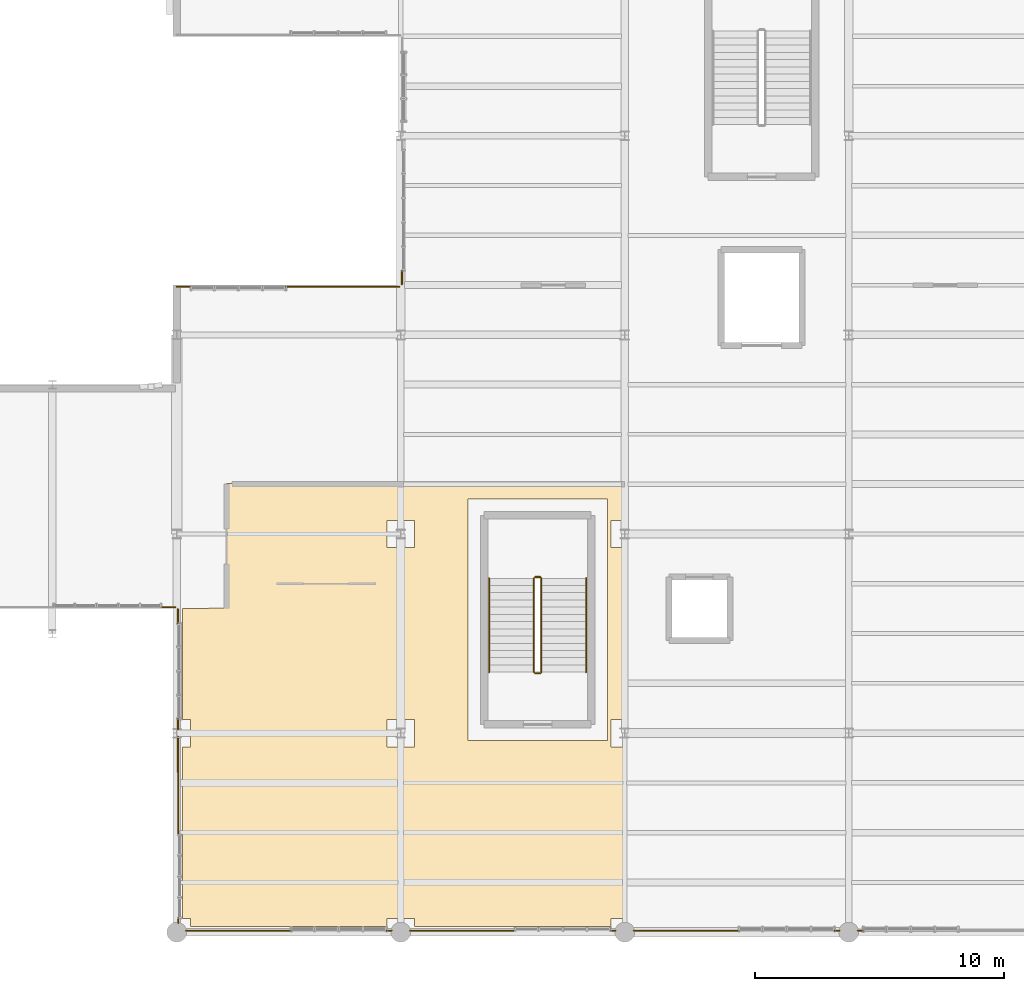
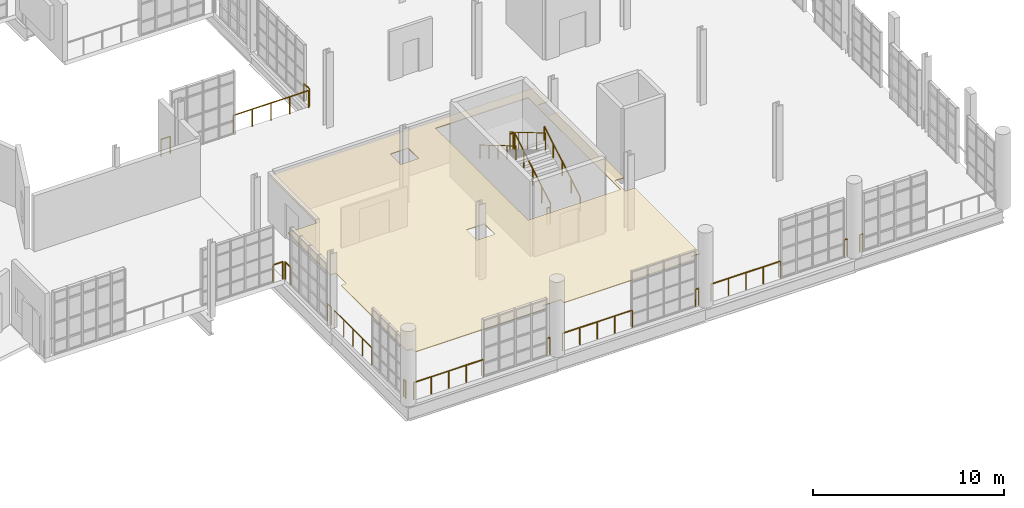
# One storey, part 115 of 122: 21 railings, 1 covering.
"""IFC4 building model written with IfcOpenShell, lengths in metres."""

from ifc_helpers import new_model, si_unit, direction, frame, origin, origin_2d, place, context, subcontext, project, spatial, polyline, circle, outline, extrude, material, layer, layer_set, type_object, element, save


model = new_model("IFC4")

# Units and contexts
model_context = context("Model", 3, precision=1e-05, world=origin(), true_north=direction((0.0, 1.0)))
body_context = subcontext(model_context, "Body", "Model", "MODEL_VIEW")
ifc_project = project(units=[si_unit("LENGTHUNIT", "METRE"), si_unit("AREAUNIT", "SQUARE_METRE"), si_unit("VOLUMEUNIT", "CUBIC_METRE"), si_unit("PLANEANGLEUNIT", "RADIAN"), si_unit("MASSUNIT", "GRAM", prefix="KILO"), si_unit("THERMODYNAMICTEMPERATUREUNIT", "KELVIN"), si_unit("POWERUNIT", "WATT")], contexts=[model_context])

# Site, building, storey
site_placement = place(None, origin())
site = spatial("IfcSite", under=ifc_project, at=site_placement, CompositionType="ELEMENT")
building_placement = place(site_placement, origin())
building = spatial("IfcBuilding", under=site, at=building_placement, Name="Zelmaris Science Centre", CompositionType="ELEMENT")
storey_placement = place(building_placement, frame((0.0, 0.0, 10.800048828125)))
storey = spatial("IfcBuildingStorey", under=building, at=storey_placement, Name="L02", CompositionType="ELEMENT", Elevation=10.800048828125)

# Covering
ifc_material_1 = material(Name="Perforated mineral-fibre acoustic ceiling tile")
ifc_layer = layer(ifc_material_1, 0.050048828125, Name="Perforated mineral-fibre acoustic ceiling tile")
ifc_layer_set = layer_set([ifc_layer], Name="Perforated mineral-fibre acoustic ceiling tile")
covering_type = type_object("IfcCoveringType", Name="Acoustic Ceiling CLG-02 50mm", PredefinedType="CEILING", material=ifc_layer_set)
covering_placement = place(storey_placement, frame((0.0, 0.0, 2.849853515625)))
element("IfcCovering", 1, at=covering_placement, inside=storey, type_object=covering_type, Name="L02 Electronics and Sensor Dry Laboratory acoustic ceiling", PredefinedType="CEILING", context=body_context, shape_type="SweptSolid", body=[
    extrude(outline(polyline([(126.001953125, 26.02001953125), (126.00390625, 26.01953125), (126.005859375, 26.01904296875), (126.0078125, 26.0185546875), (126.009521484375, 26.017578125), (126.010986328125, 26.0166015625), (126.0126953125, 26.015380859375), (126.01416015625, 26.01416015625), (126.015380859375, 26.0126953125), (126.0166015625, 26.010986328125), (126.017578125, 26.009521484375), (126.0185546875, 26.0078125), (126.01904296875, 26.005859375), (126.01953125, 26.00390625), (126.02001953125, 26.001953125), (126.02001953125, 26.0), (126.02001953125, 24.550048828125), (125.449951171875, 24.550048828125), (125.449951171875, 23.449951171875), (126.02001953125, 23.449951171875), (126.02001953125, 16.550048828125), (125.449951171875, 16.550048828125), (125.449951171875, 15.449951171875), (126.02001953125, 15.449951171875), (126.02001953125, 8.550048828125), (125.449951171875, 8.550048828125), (125.449951171875, 8.22998046875), (117.550048828125, 8.22998046875), (117.550048828125, 8.550048828125), (116.449951171875, 8.550048828125), (116.449951171875, 8.22998046875), (108.550048828125, 8.22998046875), (108.550048828125, 8.550048828125), (108.22998046875, 8.550048828125), (108.22998046875, 15.449951171875), (108.550048828125, 15.449951171875), (108.550048828125, 16.550048828125), (108.22998046875, 16.550048828125), (108.22998046875, 20.9951171875), (108.22998046875, 20.9970703125), (108.23046875, 20.998779296875), (108.23095703125, 21.000732421875), (108.2314453125, 21.002685546875), (108.232421875, 21.00439453125), (108.2333984375, 21.006103515625), (108.234619140625, 21.0078125), (108.23583984375, 21.009033203125), (108.2373046875, 21.010498046875), (108.239013671875, 21.01171875), (108.240478515625, 21.0126953125), (108.2421875, 21.013427734375), (108.244140625, 21.01416015625), (108.24609375, 21.0146484375), (108.248046875, 21.014892578125), (108.25, 21.014892578125), (109.98486328125, 21.0185546875), (109.985107421875, 26.0), (109.985107421875, 26.001953125), (109.9853515625, 26.00390625), (109.98583984375, 26.005859375), (109.986572265625, 26.0078125), (109.9873046875, 26.009521484375), (109.98828125, 26.010986328125), (109.989501953125, 26.0126953125), (109.990966796875, 26.01416015625), (109.9921875, 26.015380859375), (109.993896484375, 26.0166015625), (109.99560546875, 26.017578125), (109.997314453125, 26.0185546875), (109.999267578125, 26.01904296875), (110.001220703125, 26.01953125), (110.0029296875, 26.02001953125), (110.0048828125, 26.02001953125), (126.0, 26.02001953125), (126.001953125, 26.02001953125)]), holes=[polyline([(119.699951171875, 15.699951171875), (125.300048828125, 15.699951171875), (125.300048828125, 25.39990234375), (119.699951171875, 25.39990234375), (119.699951171875, 15.699951171875)]), polyline([(116.449951171875, 15.449951171875), (117.550048828125, 15.449951171875), (117.550048828125, 16.550048828125), (116.449951171875, 16.550048828125), (116.449951171875, 15.449951171875)]), polyline([(117.550048828125, 23.449951171875), (117.550048828125, 24.550048828125), (116.449951171875, 24.550048828125), (116.449951171875, 23.449951171875), (117.550048828125, 23.449951171875)])]), origin(), (0.0, 0.0, 1.0), 0.050048828125),
])

# Railings
ifc_material_2 = material(Name="Architectural bronze alloy C28000")
railing_type_1 = type_object("IfcRailingType", Name="Balustrade GD-01 H1120", PredefinedType="BALUSTRADE", material=ifc_material_2)
for number, where, name in (
    (2, (135.570068359375, 8.06005859375, 0.0), "L02 Perimeter safety balustrade 146"),
    (3, (134.6298828125, 8.06005859375, 0.0), "L02 Perimeter safety balustrade 147"),
):
    element("IfcRailing", number, at=place(storey_placement, frame(where)), inside=storey, type_object=railing_type_1, Name=name, PredefinedType="BALUSTRADE", context=body_context, shape_type="SweptSolid", body=[
        extrude(circle(Radius=0.02392578125, at=origin_2d()), frame((0.0, 0.0, 1.09619140625), z_axis=(-1.0, 0.0, 0.0), x_axis=(0.0, -1.0, 0.0)), (0.0, 0.0, 1.0), 0.199951171875),
        extrude(circle(Radius=0.02099609375, at=origin_2d()), origin(), (0.0, 0.0, 1.0), 1.072021484375),
        extrude(circle(Radius=0.02099609375, at=origin_2d()), frame((-0.199951171875, 0.0, 0.0)), (0.0, 0.0, 1.0), 1.072021484375),
    ])
railing_1_placement = place(storey_placement, frame((130.590087890625, 8.06005859375, 0.0)))
element("IfcRailing", 4, at=railing_1_placement, inside=storey, type_object=railing_type_1, Name="L02 Perimeter safety balustrade 148", PredefinedType="BALUSTRADE", context=body_context, shape_type="SweptSolid", body=[
    extrude(circle(Radius=0.02392578125, at=origin_2d()), frame((0.0, 0.0, 1.09619140625), z_axis=(-1.0, 0.0, 0.0), x_axis=(0.0, -1.0, 0.0)), (0.0, 0.0, 1.0), 4.219970703125),
    extrude(circle(Radius=0.02099609375, at=origin_2d()), origin(), (0.0, 0.0, 1.0), 1.072021484375),
    extrude(circle(Radius=0.02099609375, at=origin_2d()), frame((-1.054931640625, 0.0, 0.0)), (0.0, 0.0, 1.0), 1.072021484375),
    extrude(circle(Radius=0.02099609375, at=origin_2d()), frame((-2.10986328125, 0.0, 0.0)), (0.0, 0.0, 1.0), 1.072021484375),
    extrude(circle(Radius=0.02099609375, at=origin_2d()), frame((-3.1650390625, 0.0, 0.0)), (0.0, 0.0, 1.0), 1.072021484375),
    extrude(circle(Radius=0.02099609375, at=origin_2d()), frame((-4.219970703125, 0.0, 0.0)), (0.0, 0.0, 1.0), 1.072021484375),
])
railing_2_placement = place(storey_placement, frame((125.6298828125, 8.06005859375, 0.0)))
element("IfcRailing", 5, at=railing_2_placement, inside=storey, type_object=railing_type_1, Name="L02 Perimeter safety balustrade 149", PredefinedType="BALUSTRADE", context=body_context, shape_type="SweptSolid", body=[
    extrude(circle(Radius=0.02392578125, at=origin_2d()), frame((0.0, 0.0, 1.09619140625), z_axis=(-1.0, 0.0, 0.0), x_axis=(0.0, -1.0, 0.0)), (0.0, 0.0, 1.0), 0.199951171875),
    extrude(circle(Radius=0.02099609375, at=origin_2d()), origin(), (0.0, 0.0, 1.0), 1.072021484375),
    extrude(circle(Radius=0.02099609375, at=origin_2d()), frame((-0.199951171875, 0.0, 0.0)), (0.0, 0.0, 1.0), 1.072021484375),
])
railing_3_placement = place(storey_placement, frame((121.590087890625, 8.06005859375, 0.0)))
element("IfcRailing", 6, at=railing_3_placement, inside=storey, type_object=railing_type_1, Name="L02 Perimeter safety balustrade 150", PredefinedType="BALUSTRADE", context=body_context, shape_type="SweptSolid", body=[
    extrude(circle(Radius=0.02392578125, at=origin_2d()), frame((0.0, 0.0, 1.09619140625), z_axis=(-1.0, 0.0, 0.0), x_axis=(0.0, -1.0, 0.0)), (0.0, 0.0, 1.0), 4.219970703125),
    extrude(circle(Radius=0.02099609375, at=origin_2d()), origin(), (0.0, 0.0, 1.0), 1.072021484375),
    extrude(circle(Radius=0.02099609375, at=origin_2d()), frame((-1.054931640625, 0.0, 0.0)), (0.0, 0.0, 1.0), 1.072021484375),
    extrude(circle(Radius=0.02099609375, at=origin_2d()), frame((-2.10986328125, 0.0, 0.0)), (0.0, 0.0, 1.0), 1.072021484375),
    extrude(circle(Radius=0.02099609375, at=origin_2d()), frame((-3.1650390625, 0.0, 0.0)), (0.0, 0.0, 1.0), 1.072021484375),
    extrude(circle(Radius=0.02099609375, at=origin_2d()), frame((-4.219970703125, 0.0, 0.0)), (0.0, 0.0, 1.0), 1.072021484375),
])
railing_4_placement = place(storey_placement, frame((116.6298828125, 8.06005859375, 0.0)))
element("IfcRailing", 7, at=railing_4_placement, inside=storey, type_object=railing_type_1, Name="L02 Perimeter safety balustrade 151", PredefinedType="BALUSTRADE", context=body_context, shape_type="SweptSolid", body=[
    extrude(circle(Radius=0.02392578125, at=origin_2d()), frame((0.0, 0.0, 1.09619140625), z_axis=(-1.0, 0.0, 0.0), x_axis=(0.0, -1.0, 0.0)), (0.0, 0.0, 1.0), 0.199951171875),
    extrude(circle(Radius=0.02099609375, at=origin_2d()), origin(), (0.0, 0.0, 1.0), 1.072021484375),
    extrude(circle(Radius=0.02099609375, at=origin_2d()), frame((-0.199951171875, 0.0, 0.0)), (0.0, 0.0, 1.0), 1.072021484375),
])
railing_5_placement = place(storey_placement, frame((112.590087890625, 8.06005859375, 0.0)))
element("IfcRailing", 8, at=railing_5_placement, inside=storey, type_object=railing_type_1, Name="L02 Perimeter safety balustrade 152", PredefinedType="BALUSTRADE", context=body_context, shape_type="SweptSolid", body=[
    extrude(circle(Radius=0.02392578125, at=origin_2d()), frame((0.0, 0.0, 1.09619140625), z_axis=(-1.0, 0.0, 0.0), x_axis=(0.0, -1.0, 0.0)), (0.0, 0.0, 1.0), 4.219970703125),
    extrude(circle(Radius=0.02099609375, at=origin_2d()), origin(), (0.0, 0.0, 1.0), 1.072021484375),
    extrude(circle(Radius=0.02099609375, at=origin_2d()), frame((-1.054931640625, 0.0, 0.0)), (0.0, 0.0, 1.0), 1.072021484375),
    extrude(circle(Radius=0.02099609375, at=origin_2d()), frame((-2.10986328125, 0.0, 0.0)), (0.0, 0.0, 1.0), 1.072021484375),
    extrude(circle(Radius=0.02099609375, at=origin_2d()), frame((-3.1650390625, 0.0, 0.0)), (0.0, 0.0, 1.0), 1.072021484375),
    extrude(circle(Radius=0.02099609375, at=origin_2d()), frame((-4.219970703125, 0.0, 0.0)), (0.0, 0.0, 1.0), 1.072021484375),
])
railing_6_placement = place(storey_placement, frame((108.059814453125, 8.3701171875, 0.0)))
element("IfcRailing", 9, at=railing_6_placement, inside=storey, type_object=railing_type_1, Name="L02 Perimeter safety balustrade 153", PredefinedType="BALUSTRADE", context=body_context, shape_type="SweptSolid", body=[
    extrude(circle(Radius=0.02392578125, at=origin_2d()), frame((0.0, 0.0, 1.09619140625), z_axis=(-0.001221000311, 0.999999254579, 0.0), x_axis=(-0.999999254579, -0.001221000311, 0.0)), (0.0, 0.0, 1.0), 0.199951171875),
    extrude(circle(Radius=0.02099609375, at=origin_2d()), origin(), (0.0, 0.0, 1.0), 1.072021484375),
    extrude(circle(Radius=0.02099609375, at=origin_2d()), frame((-0.000244140625, 0.199951171875, 0.0)), (0.0, 0.0, 1.0), 1.072021484375),
])
railing_7_placement = place(storey_placement, frame((108.055908203125, 11.909912109375, 0.0)))
element("IfcRailing", 10, at=railing_7_placement, inside=storey, type_object=railing_type_1, Name="L02 Perimeter safety balustrade 154", PredefinedType="BALUSTRADE", context=body_context, shape_type="SweptSolid", body=[
    extrude(circle(Radius=0.02392578125, at=origin_2d()), frame((0.0, 0.0, 1.09619140625), z_axis=(-0.001054393757, 0.999999444127, 0.0), x_axis=(-0.999999444127, -0.001054393757, 0.0)), (0.0, 0.0, 1.0), 3.936279296875),
    extrude(circle(Radius=0.02099609375, at=origin_2d()), origin(), (0.0, 0.0, 1.0), 1.072021484375),
    extrude(circle(Radius=0.02099609375, at=origin_2d()), frame((-0.0009765625, 0.984130859375, 0.0)), (0.0, 0.0, 1.0), 1.072021484375),
    extrude(circle(Radius=0.02099609375, at=origin_2d()), frame((-0.001953125, 1.96826171875, 0.0)), (0.0, 0.0, 1.0), 1.072021484375),
    extrude(circle(Radius=0.02099609375, at=origin_2d()), frame((-0.003173828125, 2.9521484375, 0.0)), (0.0, 0.0, 1.0), 1.072021484375),
    extrude(circle(Radius=0.02099609375, at=origin_2d()), frame((-0.004150390625, 3.936279296875, 0.0)), (0.0, 0.0, 1.0), 1.072021484375),
])
railing_8_placement = place(storey_placement, frame((108.051513671875, 16.154052734375, 0.0)))
element("IfcRailing", 11, at=railing_8_placement, inside=storey, type_object=railing_type_1, Name="L02 Perimeter safety balustrade 155", PredefinedType="BALUSTRADE", context=body_context, shape_type="SweptSolid", body=[
    extrude(circle(Radius=0.02392578125, at=origin_2d()), frame((0.0, 0.0, 1.09619140625), z_axis=(-0.001173708112, 0.999999311204, 0.0), x_axis=(-0.999999311204, -0.001173708112, 0.0)), (0.0, 0.0, 1.0), 0.416015625),
    extrude(circle(Radius=0.02099609375, at=origin_2d()), origin(), (0.0, 0.0, 1.0), 1.072021484375),
    extrude(circle(Radius=0.02099609375, at=origin_2d()), frame((-0.00048828125, 0.416015625, 0.0)), (0.0, 0.0, 1.0), 1.072021484375),
])
railing_9_placement = place(storey_placement, frame((108.047119140625, 20.408203125, 0.0)))
element("IfcRailing", 12, at=railing_9_placement, inside=storey, type_object=railing_type_1, Name="L02 Perimeter safety balustrade 156", PredefinedType="BALUSTRADE", context=body_context, shape_type="SweptSolid", body=[
    extrude(circle(Radius=0.02392578125, at=origin_2d()), frame((0.0, 0.0, 1.09619140625), z_axis=(-0.001285345982, 0.999999173943, 0.0), x_axis=(-0.999999173943, -0.001285345982, 0.0)), (0.0, 0.0, 1.0), 0.56982421875),
    extrude(circle(Radius=0.02099609375, at=origin_2d()), origin(), (0.0, 0.0, 1.0), 1.072021484375),
    extrude(circle(Radius=0.02099609375, at=origin_2d()), frame((-0.000732421875, 0.56982421875, 0.0)), (0.0, 0.0, 1.0), 1.072021484375),
])
railing_10_placement = place(storey_placement, frame((107.93994140625, 21.06005859375, 0.0)))
element("IfcRailing", 13, at=railing_10_placement, inside=storey, type_object=railing_type_1, Name="L02 Perimeter safety balustrade 157", PredefinedType="BALUSTRADE", context=body_context, shape_type="SweptSolid", body=[
    extrude(circle(Radius=0.02392578125, at=origin_2d()), frame((0.0, 0.0, 1.09619140625), z_axis=(-1.0, 0.0, 0.0), x_axis=(0.0, -1.0, 0.0)), (0.0, 0.0, 1.0), 0.56982421875),
    extrude(circle(Radius=0.02099609375, at=origin_2d()), origin(), (0.0, 0.0, 1.0), 1.072021484375),
    extrude(circle(Radius=0.02099609375, at=origin_2d()), frame((-0.56982421875, 0.0, 0.0)), (0.0, 0.0, 1.0), 1.072021484375),
])
railing_11_placement = place(storey_placement, frame((108.0, 33.93994140625, 0.0)))
element("IfcRailing", 14, at=railing_11_placement, inside=storey, type_object=railing_type_1, Name="L02 Perimeter safety balustrade 194", PredefinedType="BALUSTRADE", context=body_context, shape_type="SweptSolid", body=[
    extrude(circle(Radius=0.02392578125, at=origin_2d()), frame((0.0, 0.0, 1.09619140625), z_axis=(1.0, 0.0, 0.0), x_axis=(0.0, 1.0, 0.0)), (0.0, 0.0, 1.0), 0.570068359375),
    extrude(circle(Radius=0.02099609375, at=origin_2d()), origin(), (0.0, 0.0, 1.0), 1.072021484375),
    extrude(circle(Radius=0.02099609375, at=origin_2d()), frame((0.570068359375, 0.0, 0.0)), (0.0, 0.0, 1.0), 1.072021484375),
])
railing_12_placement = place(storey_placement, frame((112.3798828125, 33.93994140625, 0.0)))
element("IfcRailing", 15, at=railing_12_placement, inside=storey, type_object=railing_type_1, Name="L02 Perimeter safety balustrade 195", PredefinedType="BALUSTRADE", context=body_context, shape_type="SweptSolid", body=[
    extrude(circle(Radius=0.02392578125, at=origin_2d()), frame((0.0, 0.0, 1.09619140625), z_axis=(1.0, 0.0, 0.0), x_axis=(0.0, 1.0, 0.0)), (0.0, 0.0, 1.0), 4.56005859375),
    extrude(circle(Radius=0.02099609375, at=origin_2d()), origin(), (0.0, 0.0, 1.0), 1.072021484375),
    extrude(circle(Radius=0.02099609375, at=origin_2d()), frame((1.14013671875, 0.0, 0.0)), (0.0, 0.0, 1.0), 1.072021484375),
    extrude(circle(Radius=0.02099609375, at=origin_2d()), frame((2.280029296875, 0.0, 0.0)), (0.0, 0.0, 1.0), 1.072021484375),
    extrude(circle(Radius=0.02099609375, at=origin_2d()), frame((3.419921875, 0.0, 0.0)), (0.0, 0.0, 1.0), 1.072021484375),
    extrude(circle(Radius=0.02099609375, at=origin_2d()), frame((4.56005859375, 0.0, 0.0)), (0.0, 0.0, 1.0), 1.072021484375),
])
railing_13_placement = place(storey_placement, frame((117.0498046875, 34.026611328125, 0.0)))
element("IfcRailing", 16, at=railing_13_placement, inside=storey, type_object=railing_type_1, Name="L02 Perimeter safety balustrade 196", PredefinedType="BALUSTRADE", context=body_context, shape_type="SweptSolid", body=[
    extrude(circle(Radius=0.02392578125, at=origin_2d()), frame((0.0, 0.0, 1.09619140625), z_axis=(0.001284795513, 0.99999917465, 0.0), x_axis=(-0.99999917465, 0.001284795513, 0.0)), (0.0, 0.0, 1.0), 0.570068359375),
    extrude(circle(Radius=0.02099609375, at=origin_2d()), origin(), (0.0, 0.0, 1.0), 1.072021484375),
    extrude(circle(Radius=0.02099609375, at=origin_2d()), frame((0.000732421875, 0.570068359375, 0.0)), (0.0, 0.0, 1.0), 1.072021484375),
])
railing_14_placement = place(storey_placement, frame((122.64990234375, 18.449951171875, 0.17138671875)))
element("IfcRailing", 17, at=railing_14_placement, inside=storey, type_object=railing_type_1, Name="L02 ST-4 stair guard 1", PredefinedType="BALUSTRADE", context=body_context, shape_type="SweptSolid", body=[
    extrude(circle(Radius=0.02392578125, at=origin_2d()), frame((0.0, 0.0, 1.076171875), z_axis=(0.0, 0.860848830602, 0.508860777473), x_axis=(-1.0, 0.0, 0.0)), (0.0, 0.0, 1.0), 4.37939453125),
    extrude(circle(Radius=0.02099609375, at=origin_2d()), origin(), (0.0, 0.0, 1.0), 1.052001953125),
    extrude(circle(Radius=0.02099609375, at=origin_2d()), frame((0.0, 0.9423828125, 0.55712890625)), (0.0, 0.0, 1.0), 1.052001953125),
    extrude(circle(Radius=0.02099609375, at=origin_2d()), frame((0.0, 1.885009765625, 1.1142578125)), (0.0, 0.0, 1.0), 1.052001953125),
    extrude(circle(Radius=0.02099609375, at=origin_2d()), frame((0.0, 2.82763671875, 1.67138671875)), (0.0, 0.0, 1.0), 1.052001953125),
    extrude(circle(Radius=0.02099609375, at=origin_2d()), frame((0.0, 3.77001953125, 2.228515625)), (0.0, 0.0, 1.0), 1.052001953125),
])
railing_15_placement = place(storey_placement, frame((122.60009765625, 22.27001953125, 2.39990234375)))
element("IfcRailing", 18, at=railing_15_placement, inside=storey, type_object=railing_type_1, Name="L02 ST-4 stair guard 2", PredefinedType="BALUSTRADE", context=body_context, shape_type="SweptSolid", body=[
    extrude(circle(Radius=0.02392578125, at=origin_2d()), frame((0.0, 0.0, 1.076171875), z_axis=(-1.0, 0.0, 0.0), x_axis=(0.0, -1.0, 0.0)), (0.0, 0.0, 1.0), 0.2001953125),
    extrude(circle(Radius=0.02099609375, at=origin_2d()), origin(), (0.0, 0.0, 1.0), 1.052001953125),
    extrude(circle(Radius=0.02099609375, at=origin_2d()), frame((-0.2001953125, 0.0, 0.0)), (0.0, 0.0, 1.0), 1.052001953125),
])
railing_16_placement = place(storey_placement, frame((122.35009765625, 22.219970703125, 2.5712890625)))
element("IfcRailing", 19, at=railing_16_placement, inside=storey, type_object=railing_type_1, Name="L02 ST-4 stair guard 3", PredefinedType="BALUSTRADE", context=body_context, shape_type="SweptSolid", body=[
    extrude(circle(Radius=0.02392578125, at=origin_2d()), frame((0.0, 0.0, 1.076171875), z_axis=(0.0, -0.860824410104, 0.508902087802), x_axis=(1.0, 0.0, 0.0)), (0.0, 0.0, 1.0), 4.379638671875),
    extrude(circle(Radius=0.02099609375, at=origin_2d()), origin(), (0.0, 0.0, 1.0), 1.052001953125),
    extrude(circle(Radius=0.02099609375, at=origin_2d()), frame((0.0, -0.9423828125, 0.55712890625)), (0.0, 0.0, 1.0), 1.052001953125),
    extrude(circle(Radius=0.02099609375, at=origin_2d()), frame((0.0, -1.885009765625, 1.1142578125)), (0.0, 0.0, 1.0), 1.052001953125),
    extrude(circle(Radius=0.02099609375, at=origin_2d()), frame((0.0, -2.82763671875, 1.671630859375)), (0.0, 0.0, 1.0), 1.052001953125),
    extrude(circle(Radius=0.02099609375, at=origin_2d()), frame((0.0, -3.77001953125, 2.228759765625)), (0.0, 0.0, 1.0), 1.052001953125),
])
railing_17_placement = place(storey_placement, frame((122.60009765625, 18.39990234375, 0.0)))
element("IfcRailing", 20, at=railing_17_placement, inside=storey, type_object=railing_type_1, Name="L02 ST-4 stair guard 4", PredefinedType="BALUSTRADE", context=body_context, shape_type="SweptSolid", body=[
    extrude(circle(Radius=0.02392578125, at=origin_2d()), frame((0.0, 0.0, 1.076171875), z_axis=(-1.0, 0.0, 0.0), x_axis=(0.0, -1.0, 0.0)), (0.0, 0.0, 1.0), 0.2001953125),
    extrude(circle(Radius=0.02099609375, at=origin_2d()), origin(), (0.0, 0.0, 1.0), 1.052001953125),
    extrude(circle(Radius=0.02099609375, at=origin_2d()), frame((-0.2001953125, 0.0, 0.0)), (0.0, 0.0, 1.0), 1.052001953125),
])
railing_type_2 = type_object("IfcRailingType", Name="Handrail HR-01 H900", PredefinedType="HANDRAIL", material=ifc_material_2)
railing_18_placement = place(storey_placement, frame((124.449951171875, 18.449951171875, 0.17138671875)))
element("IfcRailing", 21, at=railing_18_placement, inside=storey, type_object=railing_type_2, Name="L02 ST-4 stair handrail 1", PredefinedType="HANDRAIL", context=body_context, shape_type="SweptSolid", body=[
    extrude(circle(Radius=0.02392578125, at=origin_2d()), frame((0.0, 0.0, 0.8759765625), z_axis=(0.0, 0.860848830602, 0.508860777473), x_axis=(-1.0, 0.0, 0.0)), (0.0, 0.0, 1.0), 4.37939453125),
    extrude(circle(Radius=0.02099609375, at=origin_2d()), origin(), (0.0, 0.0, 1.0), 0.851806640625),
    extrude(circle(Radius=0.02099609375, at=origin_2d()), frame((0.0, 0.9423828125, 0.55712890625)), (0.0, 0.0, 1.0), 0.851806640625),
    extrude(circle(Radius=0.02099609375, at=origin_2d()), frame((0.0, 1.885009765625, 1.1142578125)), (0.0, 0.0, 1.0), 0.851806640625),
    extrude(circle(Radius=0.02099609375, at=origin_2d()), frame((0.0, 2.82763671875, 1.67138671875)), (0.0, 0.0, 1.0), 0.851806640625),
    extrude(circle(Radius=0.02099609375, at=origin_2d()), frame((0.0, 3.77001953125, 2.228515625)), (0.0, 0.0, 1.0), 0.851806640625),
])
railing_19_placement = place(storey_placement, frame((120.550048828125, 22.219970703125, 2.5712890625)))
element("IfcRailing", 22, at=railing_19_placement, inside=storey, type_object=railing_type_2, Name="L02 ST-4 stair handrail 2", PredefinedType="HANDRAIL", context=body_context, shape_type="SweptSolid", body=[
    extrude(circle(Radius=0.02392578125, at=origin_2d()), frame((0.0, 0.0, 0.8759765625), z_axis=(0.0, -0.860824410104, 0.508902087802), x_axis=(1.0, 0.0, 0.0)), (0.0, 0.0, 1.0), 4.379638671875),
    extrude(circle(Radius=0.02099609375, at=origin_2d()), origin(), (0.0, 0.0, 1.0), 0.851806640625),
    extrude(circle(Radius=0.02099609375, at=origin_2d()), frame((0.0, -0.9423828125, 0.55712890625)), (0.0, 0.0, 1.0), 0.851806640625),
    extrude(circle(Radius=0.02099609375, at=origin_2d()), frame((0.0, -1.885009765625, 1.1142578125)), (0.0, 0.0, 1.0), 0.851806640625),
    extrude(circle(Radius=0.02099609375, at=origin_2d()), frame((0.0, -2.82763671875, 1.671630859375)), (0.0, 0.0, 1.0), 0.851806640625),
    extrude(circle(Radius=0.02099609375, at=origin_2d()), frame((0.0, -3.77001953125, 2.228759765625)), (0.0, 0.0, 1.0), 0.851806640625),
])

save(model, "model.ifc")
